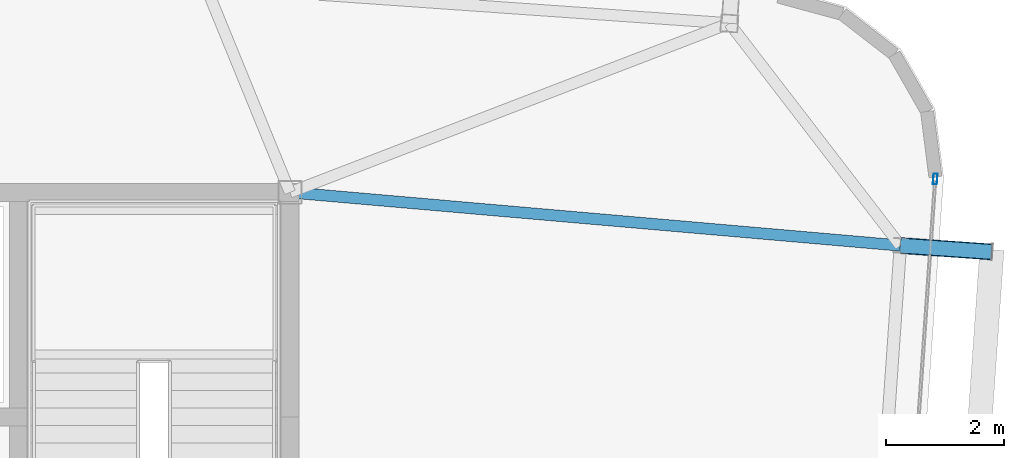
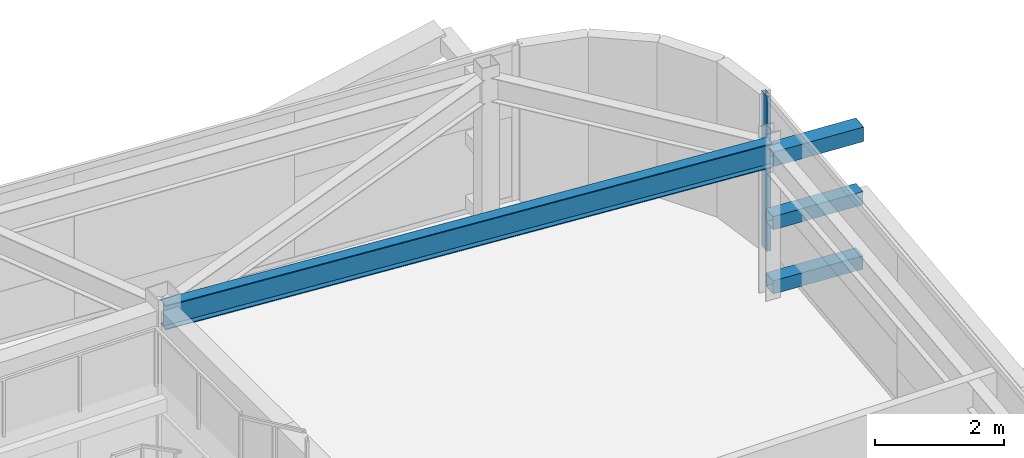
# One storey, part 18 of 39: 4 members, 1 beam, 1 element without a shape of its own.
"""IFC4 building model written with IfcOpenShell, lengths in metres."""

from ifc_helpers import new_model, si_unit, direction, frame, origin, origin_2d, place, context, subcontext, project, spatial, hollow_rectangle, i_section, extrude, source, transform, mapped, material, layer, layer_set, material_profile, profile_set, type_object, element, aggregate, save


model = new_model("IFC4")

# Units and contexts
model_context = context("Model", 3, precision=1e-05, world=origin(), true_north=direction((0.0, 1.0)))
body_context = subcontext(model_context, "Body", "Model", "MODEL_VIEW")
ifc_project = project(units=[si_unit("LENGTHUNIT", "METRE"), si_unit("AREAUNIT", "SQUARE_METRE"), si_unit("VOLUMEUNIT", "CUBIC_METRE"), si_unit("PLANEANGLEUNIT", "RADIAN"), si_unit("MASSUNIT", "GRAM", prefix="KILO")], contexts=[model_context])

# Site, building, storey
site_placement = place(None, origin())
site = spatial("IfcSite", under=ifc_project, at=site_placement, CompositionType="ELEMENT")
building_placement = place(site_placement, origin())
building = spatial("IfcBuilding", under=site, at=building_placement, Name="Taldren Reach Tower", CompositionType="ELEMENT")
storey_placement = place(building_placement, frame((0.0, 0.0, 120.39990234375)))
storey = spatial("IfcBuildingStorey", under=building, at=storey_placement, Name="L36", CompositionType="ELEMENT", Elevation=120.39990234375)

# Members
ifc_material_1 = material(Name="Steel Gr 450 (C450L0)", Category="steel")
ifc_material_profile_1 = material_profile(ifc_material_1, hollow_rectangle(XDim=0.27490234375, YDim=0.27490234375, WallThickness=0.00927734375, at=origin_2d()), Name="275x275x9.3SHS")
ifc_profile_set_1 = profile_set([ifc_material_profile_1], Name="Steel Gr 450 (C450L0)")
member_type_1 = type_object("IfcMemberType", Name="MB-TIE273", PredefinedType="STRUT", material=ifc_profile_set_1)
shared_shape_1 = source(origin(), body_context, "Body", "SweptSolid", [
    extrude(hollow_rectangle(XDim=0.27490234375, YDim=0.27490234375, WallThickness=0.00927734375, at=origin_2d()), origin(), (0.0, 0.0, 1.0), 1.550048828125),
])
member_1_placement = place(storey_placement, frame((61.3310546875, 31.1005859375, 2.650146484375), z_axis=(0.99756313426, -0.06976957191, 0.0), x_axis=(0.06976957191, 0.99756313426, 0.0)))
element("IfcMember", 1, at=member_1_placement, inside=storey, type_object=member_type_1, Name="Exoskeleton diaphragm tie strut B3-E3 L36", PredefinedType="STRUT", context=body_context, shape_type="MappedRepresentation", body=[
    mapped(shared_shape_1, transform((0.0, 0.0, 0.0), scale=1.0)),
])
ifc_material_2 = material(Name="Steel Gr 350 (C350L0)", Category="steel")
ifc_material_profile_2 = material_profile(ifc_material_2, hollow_rectangle(XDim=0.25, YDim=0.25, WallThickness=0.010009765625, at=origin_2d()), Name="250x250x10.0SHS")
ifc_profile_set_2 = profile_set([ifc_material_profile_2], Name="Steel Gr 350 (C350L0)")
member_type_2 = type_object("IfcMemberType", Name="MB-POST250", PredefinedType="POST", material=ifc_profile_set_2)
shared_shape_2 = source(origin(), body_context, "Body", "SweptSolid", [
    extrude(hollow_rectangle(XDim=0.25, YDim=0.25, WallThickness=0.010009765625, at=origin_2d()), origin(), (0.0, 0.0, 1.0), 1.550048828125),
])
for number, where, z_axis, x_axis, name in (
    (2, (61.3310546875, 31.1005859375, 0.22021484375), (0.99756313426, -0.06976957191, 0.0), (0.06976957191, 0.99756313426, 0.0), "Exoskeleton base diaphragm tie strut B3-E3 L36"),
    (3, (61.3310546875, 31.1005859375, 1.43505859375), (0.99756313426, -0.06976957191, 0.0), (0.06976957191, 0.99756313426, 0.0), "Exoskeleton mid-tier diaphragm tie B3-E3 L36"),
):
    element("IfcMember", number, at=place(storey_placement, frame(where, z_axis=z_axis, x_axis=x_axis)), inside=storey, type_object=member_type_2, Name=name, PredefinedType="POST", context=body_context, shape_type="MappedRepresentation", body=[
        mapped(shared_shape_2, transform((0.0, 0.0, 0.0), scale=1.0)),
    ])

# Beam
ifc_material_3 = material(Name="Steel Gr 350 (350PLUS)", Category="steel")
ifc_material_profile_3 = material_profile(ifc_material_3, i_section(OverallWidth=0.19091796875, OverallDepth=0.4599609375, WebThickness=0.010009765625, FlangeThickness=0.01611328125, at=origin_2d()), Name="460UB82.1")
ifc_profile_set_3 = profile_set([ifc_material_profile_3], Name="Steel Gr 350 (350PLUS)")
beam_type = type_object("IfcBeamType", Name="BM-UB460A", PredefinedType="BEAM", material=ifc_profile_set_3)
shared_shape_3 = source(origin(), body_context, "Body", "SweptSolid", [
    extrude(i_section(OverallWidth=0.19091796875, OverallDepth=0.4599609375, WebThickness=0.010009765625, FlangeThickness=0.01611328125, at=origin_2d()), origin(), (0.0, 0.0, 1.0), 10.3701171875),
])
beam_placement = place(storey_placement, frame((51.0, 32.0, 2.7001953125), z_axis=(0.996231748992, -0.086731207186, 0.0), x_axis=(0.086731207186, 0.996231748992, 0.0)))
element("IfcBeam", 4, at=beam_placement, inside=storey, type_object=beam_type, Name="Primary floor girder B3-E3 L36", PredefinedType="BEAM", context=body_context, shape_type="MappedRepresentation", body=[
    mapped(shared_shape_3, transform((0.0, 0.0, 0.0), scale=1.0)),
])

# Curtain wall, member
ifc_material_4 = material(Name="Aluminium and Low-E Glass Unitised System", Category="aluminium")
ifc_layer = layer(ifc_material_4, 0.159912109375)
ifc_layer_set = layer_set([ifc_layer], Name="Aluminium and Low-E Glass Unitised System")
curtain_wall_type = type_object("IfcCurtainWallType", Name="CW-SYS-4", PredefinedType="NOTDEFINED", material=ifc_layer_set)
curtain_wall_placement = place(storey_placement, origin())
curtain_wall = element("IfcCurtainWall", 5, at=curtain_wall_placement, inside=storey, type_object=curtain_wall_type, Name="Unitised curtain wall CW-L36-E", PredefinedType="NOTDEFINED")
ifc_material_5 = material(Name="Anodised Aluminium 6063-T6", Category="aluminium")
ifc_material_profile_4 = material_profile(ifc_material_5, hollow_rectangle(XDim=0.070068359375, YDim=0.179931640625, WallThickness=0.00390625, at=origin_2d()), Name="ALU-180x70x4RHS")
ifc_profile_set_4 = profile_set([ifc_material_profile_4], Name="Anodised Aluminium 6063-T6")
member_type_3 = type_object("IfcMemberType", Name="CW-MUL-180", PredefinedType="MULLION", material=ifc_profile_set_4)
shared_shape_4 = source(origin(), body_context, "Body", "SweptSolid", [
    extrude(hollow_rectangle(XDim=0.070068359375, YDim=0.179931640625, WallThickness=0.00390625, at=origin_2d()), origin(), (0.0, 0.0, 1.0), 2.93017578125),
])
member_2_placement = place(storey_placement, frame((61.921142578125, 32.22705078125, 0.0), z_axis=(0.0, 0.0, 1.0), x_axis=(-0.997564052812, 0.069756437251, 0.0)))
member_2 = element("IfcMember", 6, at=member_2_placement, type_object=member_type_3, Name="CW-4 mullion 3", PredefinedType="MULLION", context=body_context, shape_type="MappedRepresentation", body=[
    mapped(shared_shape_4, transform((0.0, 0.0, 0.0), scale=1.0)),
])
aggregate(curtain_wall, [member_2])

save(model, "model.ifc")
